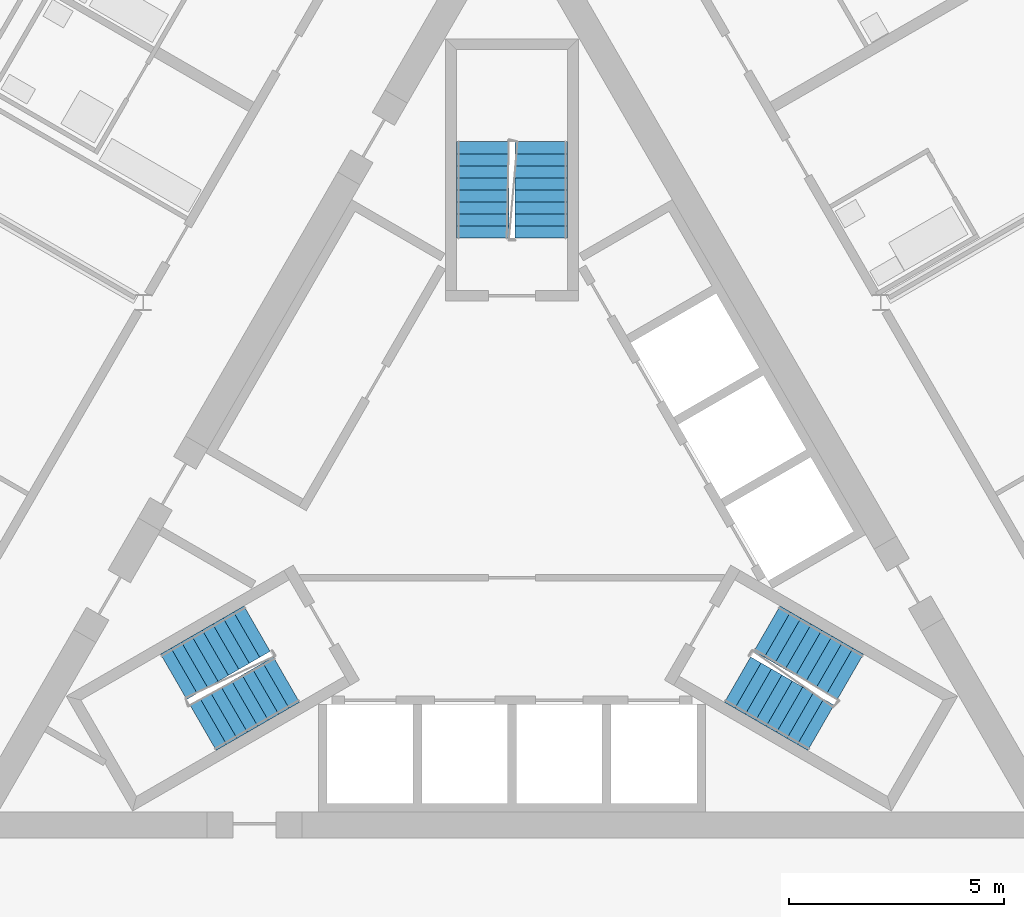
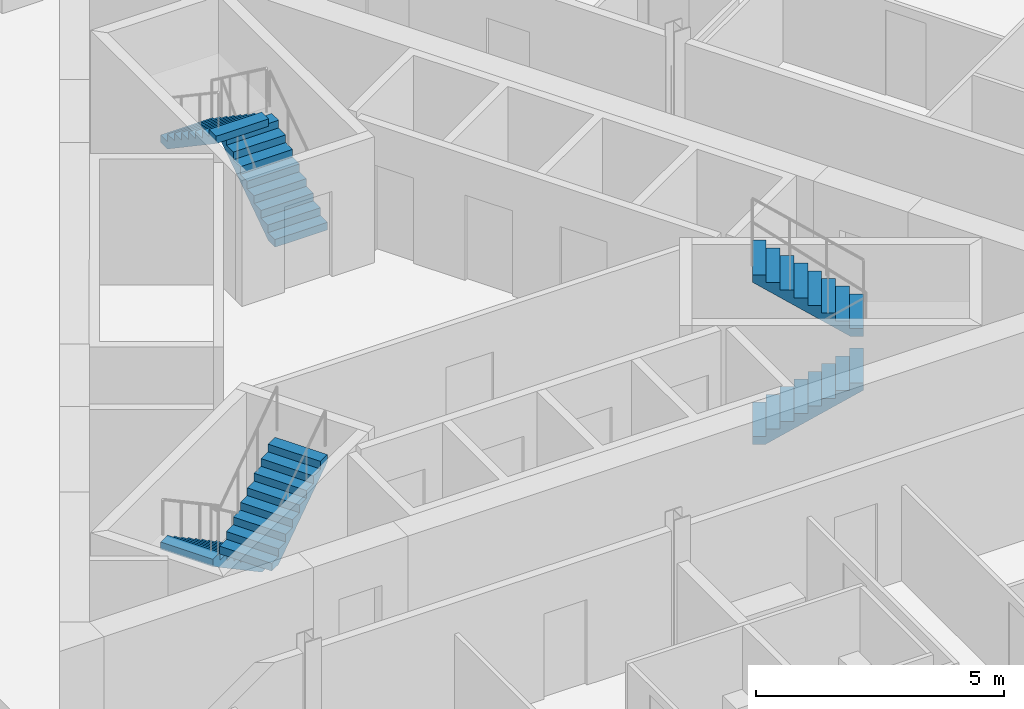
# One storey, part 18 of 26: 6 stair flights, 3 elements without a shape of their own.
"""IFC4 building model written with IfcOpenShell, lengths in metres."""

from ifc_helpers import new_model, si_unit, direction, frame, origin, place, context, subcontext, project, spatial, polyline, outline, extrude, material, type_object, element, aggregate, save


model = new_model("IFC4")

# Units and contexts
model_context = context("Model", 3, precision=1e-05, world=origin(), true_north=direction((0.0, 1.0)))
body_context = subcontext(model_context, "Body", "Model", "MODEL_VIEW")
ifc_project = project(units=[si_unit("LENGTHUNIT", "METRE"), si_unit("AREAUNIT", "SQUARE_METRE"), si_unit("VOLUMEUNIT", "CUBIC_METRE"), si_unit("PLANEANGLEUNIT", "RADIAN"), si_unit("MASSUNIT", "GRAM", prefix="KILO")], contexts=[model_context])

# Site, building, storey
site_placement = place(None, origin())
site = spatial("IfcSite", under=ifc_project, at=site_placement, CompositionType="ELEMENT")
building_placement = place(site_placement, origin())
building = spatial("IfcBuilding", under=site, at=building_placement, Name="Cormorant Prow Tower", CompositionType="ELEMENT")
storey_placement = place(building_placement, frame((0.0, 0.0, 401.800048828125)))
storey = spatial("IfcBuildingStorey", under=building, at=storey_placement, Name="L92", CompositionType="ELEMENT", Elevation=401.800048828125)

# Stair, stair flights
ifc_material_1 = material(Name="Exit stair 18 risers")
stair_type = type_object("IfcStairType", Name="Exit stair 18 risers", PredefinedType="HALF_TURN_STAIR", material=ifc_material_1)
stair_1_placement = place(storey_placement, origin())
stair_1 = element("IfcStair", 1, at=stair_1_placement, inside=storey, type_object=stair_type, Name="L92 Exit stair ST1", PredefinedType="HALF_TURN_STAIR")
ifc_material_2 = material(Name="Concrete 5000 psi", Category="concrete")
stair_flight_type = type_object("IfcStairFlightType", Name="Stair flight 1219", PredefinedType="STRAIGHT", material=ifc_material_2)
stair_flight_1_placement = place(storey_placement, frame((-5.93310546875, -2.635009765625, 0.0), z_axis=(0.0, 0.0, 1.0), x_axis=(-0.866025403784, -0.5, 0.0)))
stair_flight_1 = element("IfcStairFlight", 2, at=stair_flight_1_placement, type_object=stair_flight_type, Name="ST1 flight 1", NumberOfRisers=9, NumberOfTreads=8, PredefinedType="STRAIGHT", RiserHeight=0.188888889, TreadLength=0.28, context=body_context, shape_type="SweptSolid", body=[
    extrude(outline(polyline([(0.0, 0.0), (0.0, 0.18896484375), (0.280029296875, 0.18896484375), (0.280029296875, 0.377685546875), (0.56005859375, 0.377685546875), (0.56005859375, 0.566650390625), (0.840087890625, 0.566650390625), (0.840087890625, 0.755615234375), (1.1201171875, 0.755615234375), (1.1201171875, 0.9443359375), (1.39990234375, 0.9443359375), (1.39990234375, 1.13330078125), (1.679931640625, 1.13330078125), (1.679931640625, 1.322265625), (1.9599609375, 1.322265625), (1.9599609375, 1.51123046875), (2.239990234375, 1.51123046875), (2.239990234375, 1.699951171875), (2.239990234375, 1.330322265625), (0.26806640625, 0.0), (0.0, 0.0)])), frame((0.0, 0.609375, 0.0), z_axis=(0.0, -1.0, 0.0), x_axis=(1.0, 0.0, 0.0)), (0.0, 0.0, 1.0), 1.218994140625),
])
stair_flight_2_placement = place(storey_placement, frame((-7.1884765625, -4.940673828125, 1.699951171875), z_axis=(0.0, 0.0, 1.0), x_axis=(0.866025403784, 0.5, 0.0)))
stair_flight_2 = element("IfcStairFlight", 3, at=stair_flight_2_placement, type_object=stair_flight_type, Name="ST1 flight 2", NumberOfRisers=9, NumberOfTreads=8, PredefinedType="STRAIGHT", RiserHeight=0.188888889, TreadLength=0.28, context=body_context, shape_type="SweptSolid", body=[
    extrude(outline(polyline([(0.0, 0.0), (0.0, 0.18896484375), (0.280029296875, 0.18896484375), (0.280029296875, 0.377685546875), (0.56005859375, 0.377685546875), (0.56005859375, 0.566650390625), (0.840087890625, 0.566650390625), (0.840087890625, 0.755615234375), (1.1201171875, 0.755615234375), (1.1201171875, 0.9443359375), (1.39990234375, 0.9443359375), (1.39990234375, 1.13330078125), (1.679931640625, 1.13330078125), (1.679931640625, 1.322265625), (1.9599609375, 1.322265625), (1.9599609375, 1.51123046875), (2.239990234375, 1.51123046875), (2.239990234375, 1.699951171875), (2.239990234375, 1.330322265625), (0.26806640625, 0.0), (0.0, 0.0)])), frame((0.0, 0.609375, 0.0), z_axis=(0.0, -1.0, 0.0), x_axis=(1.0, 0.0, 0.0)), (0.0, 0.0, 1.0), 1.218994140625),
])
aggregate(stair_1, [stair_flight_1, stair_flight_2])

stair_2_placement = place(storey_placement, origin())
stair_2 = element("IfcStair", 4, at=stair_2_placement, inside=storey, type_object=stair_type, Name="L92 Exit stair ST2", PredefinedType="HALF_TURN_STAIR")
stair_flight_3_placement = place(storey_placement, frame((5.24853515625, -3.82080078125, 0.0), z_axis=(0.0, 0.0, 1.0), x_axis=(0.866025403784, -0.5, 0.0)))
stair_flight_3 = element("IfcStairFlight", 5, at=stair_flight_3_placement, type_object=stair_flight_type, Name="ST2 flight 1", NumberOfRisers=9, NumberOfTreads=8, PredefinedType="STRAIGHT", RiserHeight=0.188888889, TreadLength=0.28, context=body_context, shape_type="SweptSolid", body=[
    extrude(outline(polyline([(0.0, 0.0), (0.0, 0.18896484375), (0.280029296875, 0.18896484375), (0.280029296875, 0.377685546875), (0.56005859375, 0.377685546875), (0.56005859375, 0.566650390625), (0.840087890625, 0.566650390625), (0.840087890625, 0.755615234375), (1.1201171875, 0.755615234375), (1.1201171875, 0.9443359375), (1.39990234375, 0.9443359375), (1.39990234375, 1.13330078125), (1.679931640625, 1.13330078125), (1.679931640625, 1.322265625), (1.9599609375, 1.322265625), (1.9599609375, 1.51123046875), (2.239990234375, 1.51123046875), (2.239990234375, 1.699951171875), (2.239990234375, 1.330322265625), (0.26806640625, 0.0), (0.0, 0.0)])), frame((0.0, 0.609375, 0.0), z_axis=(0.0, -1.0, 0.0), x_axis=(1.0, 0.0, 0.0)), (0.0, 0.0, 1.0), 1.218994140625),
])
stair_flight_4_placement = place(storey_placement, frame((7.873046875, -3.755126953125, 1.699951171875), z_axis=(0.0, 0.0, 1.0), x_axis=(-0.866025403784, 0.5, 0.0)))
stair_flight_4 = element("IfcStairFlight", 6, at=stair_flight_4_placement, type_object=stair_flight_type, Name="ST2 flight 2", NumberOfRisers=9, NumberOfTreads=8, PredefinedType="STRAIGHT", RiserHeight=0.188888889, TreadLength=0.28, context=body_context, shape_type="SweptSolid", body=[
    extrude(outline(polyline([(0.0, 0.0), (0.0, 0.18896484375), (0.280029296875, 0.18896484375), (0.280029296875, 0.377685546875), (0.56005859375, 0.377685546875), (0.56005859375, 0.566650390625), (0.840087890625, 0.566650390625), (0.840087890625, 0.755615234375), (1.1201171875, 0.755615234375), (1.1201171875, 0.9443359375), (1.39990234375, 0.9443359375), (1.39990234375, 1.13330078125), (1.679931640625, 1.13330078125), (1.679931640625, 1.322265625), (1.9599609375, 1.322265625), (1.9599609375, 1.51123046875), (2.239990234375, 1.51123046875), (2.239990234375, 1.699951171875), (2.239990234375, 1.330322265625), (0.26806640625, 0.0), (0.0, 0.0)])), frame((0.0, 0.609375, 0.0), z_axis=(0.0, -1.0, 0.0), x_axis=(1.0, 0.0, 0.0)), (0.0, 0.0, 1.0), 1.218994140625),
])
aggregate(stair_2, [stair_flight_3, stair_flight_4])

stair_3_placement = place(storey_placement, origin())
stair_3 = element("IfcStair", 7, at=stair_3_placement, inside=storey, type_object=stair_type, Name="L92 Exit stair ST3", PredefinedType="HALF_TURN_STAIR")
stair_flight_5_placement = place(storey_placement, frame((0.6845703125, 6.455810546875, 0.0), z_axis=(0.0, 0.0, 1.0), x_axis=(0.0, 1.0, 0.0)))
stair_flight_5 = element("IfcStairFlight", 8, at=stair_flight_5_placement, type_object=stair_flight_type, Name="ST3 flight 1", NumberOfRisers=9, NumberOfTreads=8, PredefinedType="STRAIGHT", RiserHeight=0.188888889, TreadLength=0.28, context=body_context, shape_type="SweptSolid", body=[
    extrude(outline(polyline([(0.0, 0.0), (0.0, 0.18896484375), (0.280029296875, 0.18896484375), (0.280029296875, 0.377685546875), (0.56005859375, 0.377685546875), (0.56005859375, 0.566650390625), (0.840087890625, 0.566650390625), (0.840087890625, 0.755615234375), (1.1201171875, 0.755615234375), (1.1201171875, 0.9443359375), (1.39990234375, 0.9443359375), (1.39990234375, 1.13330078125), (1.679931640625, 1.13330078125), (1.679931640625, 1.322265625), (1.9599609375, 1.322265625), (1.9599609375, 1.51123046875), (2.239990234375, 1.51123046875), (2.239990234375, 1.699951171875), (2.239990234375, 1.330322265625), (0.26806640625, 0.0), (0.0, 0.0)])), frame((0.0, 0.609375, 0.0), z_axis=(0.0, -1.0, 0.0), x_axis=(1.0, 0.0, 0.0)), (0.0, 0.0, 1.0), 1.218994140625),
])
stair_flight_6_placement = place(storey_placement, frame((-0.6845703125, 8.69580078125, 1.699951171875), z_axis=(0.0, 0.0, 1.0), x_axis=(0.0, -1.0, 0.0)))
stair_flight_6 = element("IfcStairFlight", 9, at=stair_flight_6_placement, type_object=stair_flight_type, Name="ST3 flight 2", NumberOfRisers=9, NumberOfTreads=8, PredefinedType="STRAIGHT", RiserHeight=0.188888889, TreadLength=0.28, context=body_context, shape_type="SweptSolid", body=[
    extrude(outline(polyline([(0.0, 0.0), (0.0, 0.18896484375), (0.280029296875, 0.18896484375), (0.280029296875, 0.377685546875), (0.56005859375, 0.377685546875), (0.56005859375, 0.566650390625), (0.840087890625, 0.566650390625), (0.840087890625, 0.755615234375), (1.1201171875, 0.755615234375), (1.1201171875, 0.9443359375), (1.39990234375, 0.9443359375), (1.39990234375, 1.13330078125), (1.679931640625, 1.13330078125), (1.679931640625, 1.322265625), (1.9599609375, 1.322265625), (1.9599609375, 1.51123046875), (2.239990234375, 1.51123046875), (2.239990234375, 1.699951171875), (2.239990234375, 1.330322265625), (0.26806640625, 0.0), (0.0, 0.0)])), frame((0.0, 0.609375, 0.0), z_axis=(0.0, -1.0, 0.0), x_axis=(1.0, 0.0, 0.0)), (0.0, 0.0, 1.0), 1.218994140625),
])
aggregate(stair_3, [stair_flight_5, stair_flight_6])

save(model, "model.ifc")
